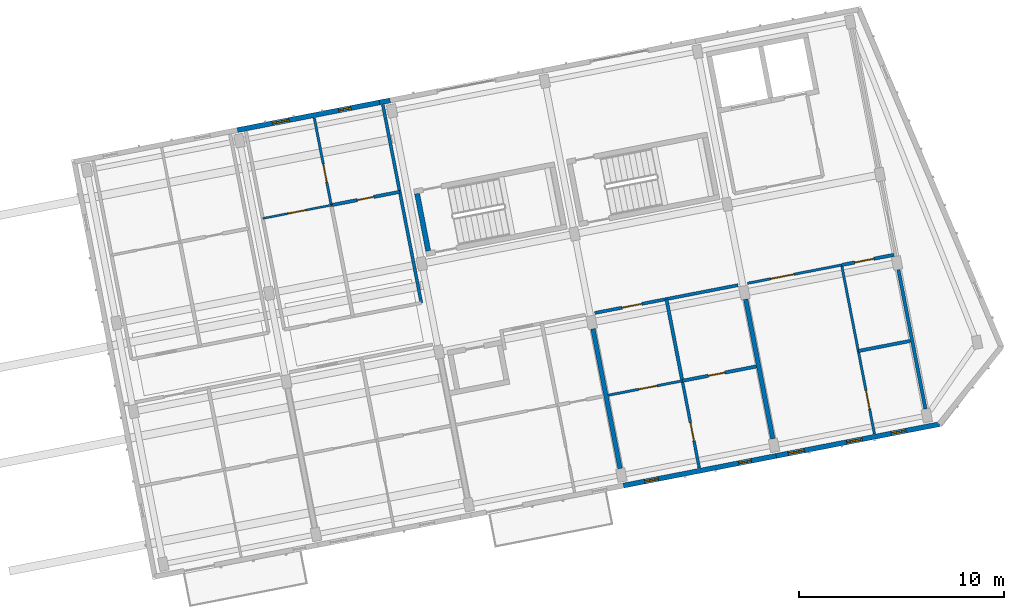
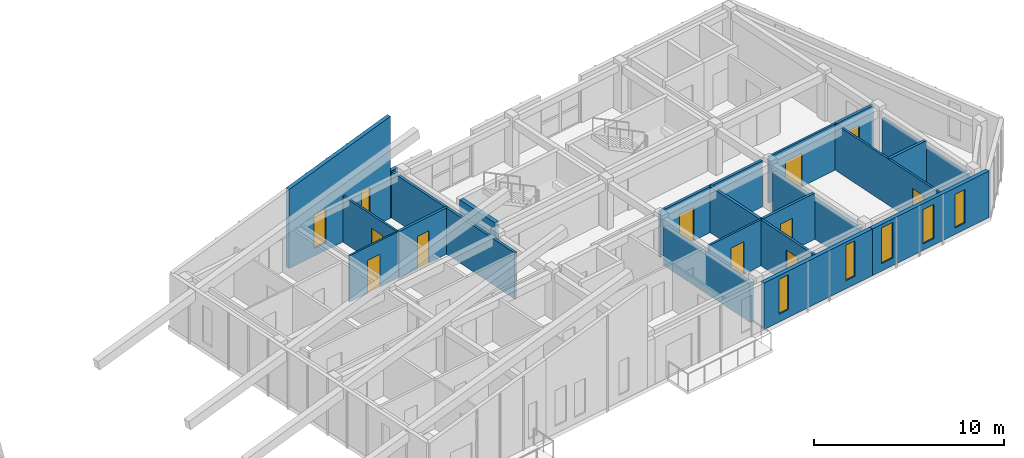
# One storey, part 33 of 64: 21 walls, 10 doors, 7 windows, 17 openings.
"""IFC4 building model written with IfcOpenShell, lengths in metres."""

from ifc_helpers import new_model, si_unit, direction, frame, frame_2d, origin, place, context, subcontext, project, spatial, polyline, rectangle, outline, extrude, material, layer, layer_set, type_object, element, fill, save


model = new_model("IFC4")

# Units and contexts
model_context = context("Model", 3, precision=1e-05, world=origin(), true_north=direction((0.0, 1.0)))
body_context = subcontext(model_context, "Body", "Model", "MODEL_VIEW")
ifc_project = project(units=[si_unit("LENGTHUNIT", "METRE"), si_unit("AREAUNIT", "SQUARE_METRE"), si_unit("VOLUMEUNIT", "CUBIC_METRE"), si_unit("PLANEANGLEUNIT", "RADIAN"), si_unit("MASSUNIT", "GRAM", prefix="KILO")], contexts=[model_context])

# Site, building, storey
site_placement = place(None, origin())
site = spatial("IfcSite", under=ifc_project, at=site_placement, CompositionType="ELEMENT")
building_placement = place(site_placement, origin())
building = spatial("IfcBuilding", under=site, at=building_placement, Name="Kestramere Prow Commons", CompositionType="ELEMENT")
storey_placement = place(building_placement, frame((0.0, 0.0, 24.64990234375)))
storey = spatial("IfcBuildingStorey", under=building, at=storey_placement, Name="L07", CompositionType="ELEMENT", Elevation=24.64990234375)

# Wall, openings, windows
ifc_material_1 = material(Name="Fluoropolymer Standing-Seam Zinc-Aluminium Cladding", Category="aluminium")
ifc_layer_1 = layer(ifc_material_1, 0.239990234375)
ifc_layer_set_1 = layer_set([ifc_layer_1], Name="Fluoropolymer Standing-Seam Zinc-Aluminium Cladding")
wall_type_1 = type_object("IfcWallType", Name="EW-SEAM-240", PredefinedType="SOLIDWALL", material=ifc_layer_set_1)
wall_1_placement = place(storey_placement, frame((155.802001953125, 40.7353515625, 0.0), z_axis=(0.0, 0.0, 1.0), x_axis=(-0.981626422232, -0.190812911449, 0.0)))
wall_1 = element("IfcWall", 1, at=wall_1_placement, inside=storey, type_object=wall_type_1, Name="Block D L07 South Standing-Seam Wall 5", PredefinedType="SOLIDWALL", context=body_context, shape_type="SweptSolid", body=[
    extrude(rectangle(XDim=7.60009765625, YDim=0.239990234375, at=frame_2d((3.800048828125, 0.0))), origin(), (0.0, 0.0, 1.0), 3.0),
])
opening_1_placement = place(wall_1_placement, frame((1.239501953125, 0.0, 0.52001953125)))
opening_1 = element("IfcOpeningElement", 2, at=opening_1_placement, cuts=wall_1, Name="Opening WN-03", PredefinedType="OPENING", context=body_context, shape_type="SweptSolid", body=[
    extrude(rectangle(XDim=0.6201171875, YDim=2.280029296875, at=frame_2d((0.31005859375, 1.14013671875))), frame((0.0, 0.135009765625, 0.0), z_axis=(0.0, -1.0, 0.0), x_axis=(1.0, 0.0, 0.0)), (0.0, 0.0, 1.0), 0.27001953125),
])
opening_2_placement = place(wall_1_placement, frame((5.86376953125, 0.0, 0.52001953125)))
opening_2 = element("IfcOpeningElement", 3, at=opening_2_placement, cuts=wall_1, Name="Opening WN-06", PredefinedType="OPENING", context=body_context, shape_type="SweptSolid", body=[
    extrude(rectangle(XDim=0.679931640625, YDim=2.239990234375, at=frame_2d((0.33984375, 1.1201171875))), frame((0.0, 0.135009765625, 0.0), z_axis=(0.0, -1.0, 0.0), x_axis=(1.0, 0.0, 0.0)), (0.0, 0.0, 1.0), 0.27001953125),
])
ifc_material_2 = material(Name="Low-E Laminated Double Glazing", Category="glass")
window_type_1 = type_object("IfcWindowType", Name="WN-NAR-620A", PartitioningType="SINGLE_PANEL", PredefinedType="WINDOW", material=ifc_material_2)
window_1_placement = place(opening_1_placement, origin())
window_1 = element("IfcWindow", 4, at=window_1_placement, inside=storey, type_object=window_type_1, Name="WN-D-L07-S-4-00", OverallHeight=2.280029296875, OverallWidth=0.6201171875, PartitioningType="SINGLE_PANEL", PredefinedType="WINDOW", context=body_context, shape_type="SweptSolid", body=[
    extrude(rectangle(XDim=0.6201171875, YDim=2.280029296875, at=frame_2d((0.31005859375, 1.14013671875))), frame((0.0, 0.030029296875, 0.0), z_axis=(0.0, -1.0, 0.0), x_axis=(1.0, 0.0, 0.0)), (0.0, 0.0, 1.0), 0.06005859375),
])
fill(opening_1, window_1)
window_type_2 = type_object("IfcWindowType", Name="WN-NAR-680A", PartitioningType="SINGLE_PANEL", PredefinedType="WINDOW", material=ifc_material_2)
window_2_placement = place(opening_2_placement, origin())
window_2 = element("IfcWindow", 5, at=window_2_placement, inside=storey, type_object=window_type_2, Name="WN-D-L07-S-4-10", OverallHeight=2.239990234375, OverallWidth=0.679931640625, PartitioningType="SINGLE_PANEL", PredefinedType="WINDOW", context=body_context, shape_type="SweptSolid", body=[
    extrude(rectangle(XDim=0.679931640625, YDim=2.239990234375, at=frame_2d((0.33984375, 1.1201171875))), frame((0.0, 0.030029296875, 0.0), z_axis=(0.0, -1.0, 0.0), x_axis=(1.0, 0.0, 0.0)), (0.0, 0.0, 1.0), 0.06005859375),
])
fill(opening_2, window_2)

wall_2_placement = place(storey_placement, frame((163.77783203125, 42.28564453125, 0.0), z_axis=(0.0, 0.0, 1.0), x_axis=(-0.981628367112, -0.190802905848, 0.0)))
wall_2 = element("IfcWall", 6, at=wall_2_placement, inside=storey, type_object=wall_type_1, Name="Block D L07 South Standing-Seam Wall 6", PredefinedType="SOLIDWALL", context=body_context, shape_type="SweptSolid", body=[
    extrude(rectangle(XDim=8.125, YDim=0.239990234375, at=frame_2d((4.0625, 0.0))), origin(), (0.0, 0.0, 1.0), 3.0),
])
opening_3_placement = place(wall_2_placement, frame((1.67333984375, 0.0, 0.419921875)))
opening_3 = element("IfcOpeningElement", 7, at=opening_3_placement, cuts=wall_2, Name="Opening WN-08", PredefinedType="OPENING", context=body_context, shape_type="SweptSolid", body=[
    extrude(rectangle(XDim=0.719970703125, YDim=2.159912109375, at=frame_2d((0.35986328125, 1.080078125))), frame((0.0, 0.135009765625, 0.0), z_axis=(0.0, -1.0, 0.0), x_axis=(1.0, 0.0, 0.0)), (0.0, 0.0, 1.0), 0.27001953125),
])
opening_4_placement = place(wall_2_placement, frame((3.8349609375, 0.0, 0.419921875)))
opening_4 = element("IfcOpeningElement", 8, at=opening_4_placement, cuts=wall_2, Name="Opening WN-11", PredefinedType="OPENING", context=body_context, shape_type="SweptSolid", body=[
    extrude(rectangle(XDim=0.780029296875, YDim=2.199951171875, at=frame_2d((0.39013671875, 1.10009765625))), frame((0.0, 0.135009765625, 0.0), z_axis=(0.0, -1.0, 0.0), x_axis=(1.0, 0.0, 0.0)), (0.0, 0.0, 1.0), 0.27001953125),
])
opening_5_placement = place(wall_2_placement, frame((6.715087890625, 0.0, 0.47998046875)))
opening_5 = element("IfcOpeningElement", 9, at=opening_5_placement, cuts=wall_2, Name="Opening WN-12", PredefinedType="OPENING", context=body_context, shape_type="SweptSolid", body=[
    extrude(rectangle(XDim=0.800048828125, YDim=2.300048828125, at=frame_2d((0.39990234375, 1.14990234375))), frame((0.0, 0.135009765625, 0.0), z_axis=(0.0, -1.0, 0.0), x_axis=(1.0, 0.0, 0.0)), (0.0, 0.0, 1.0), 0.27001953125),
])
window_type_3 = type_object("IfcWindowType", Name="WN-NAR-720A", PartitioningType="SINGLE_PANEL", PredefinedType="WINDOW", material=ifc_material_2)
window_3_placement = place(opening_3_placement, origin())
window_3 = element("IfcWindow", 10, at=window_3_placement, inside=storey, type_object=window_type_3, Name="WN-D-L07-S-5-00", OverallHeight=2.159912109375, OverallWidth=0.719970703125, PartitioningType="SINGLE_PANEL", PredefinedType="WINDOW", context=body_context, shape_type="SweptSolid", body=[
    extrude(rectangle(XDim=0.719970703125, YDim=2.159912109375, at=frame_2d((0.35986328125, 1.080078125))), frame((0.0, 0.030029296875, 0.0), z_axis=(0.0, -1.0, 0.0), x_axis=(1.0, 0.0, 0.0)), (0.0, 0.0, 1.0), 0.06005859375),
])
fill(opening_3, window_3)
window_type_4 = type_object("IfcWindowType", Name="WN-NAR-780A", PartitioningType="SINGLE_PANEL", PredefinedType="WINDOW", material=ifc_material_2)
window_4_placement = place(opening_4_placement, origin())
window_4 = element("IfcWindow", 11, at=window_4_placement, inside=storey, type_object=window_type_4, Name="WN-D-L07-S-5-10", OverallHeight=2.199951171875, OverallWidth=0.780029296875, PartitioningType="SINGLE_PANEL", PredefinedType="WINDOW", context=body_context, shape_type="SweptSolid", body=[
    extrude(rectangle(XDim=0.780029296875, YDim=2.199951171875, at=frame_2d((0.39013671875, 1.10009765625))), frame((0.0, 0.030029296875, 0.0), z_axis=(0.0, -1.0, 0.0), x_axis=(1.0, 0.0, 0.0)), (0.0, 0.0, 1.0), 0.06005859375),
])
fill(opening_4, window_4)
window_type_5 = type_object("IfcWindowType", Name="WN-NAR-800A", PartitioningType="SINGLE_PANEL", PredefinedType="WINDOW", material=ifc_material_2)
window_5_placement = place(opening_5_placement, origin())
window_5 = element("IfcWindow", 12, at=window_5_placement, inside=storey, type_object=window_type_5, Name="WN-D-L07-S-5-11", OverallHeight=2.300048828125, OverallWidth=0.800048828125, PartitioningType="SINGLE_PANEL", PredefinedType="WINDOW", context=body_context, shape_type="SweptSolid", body=[
    extrude(rectangle(XDim=0.800048828125, YDim=2.300048828125, at=frame_2d((0.39990234375, 1.14990234375))), frame((0.0, 0.030029296875, 0.0), z_axis=(0.0, -1.0, 0.0), x_axis=(1.0, 0.0, 0.0)), (0.0, 0.0, 1.0), 0.06005859375),
])
fill(opening_5, window_5)

# Wall
wall_3_placement = place(storey_placement, frame((136.42578125, 58.005615234375, 0.0), z_axis=(0.0, 0.0, 1.0), x_axis=(0.981656509867, 0.190658062077, 0.0)))
element("IfcWall", 13, at=wall_3_placement, inside=storey, type_object=wall_type_1, Name="Block D L07 North Step-Back Spandrel Wall 3", PredefinedType="SOLIDWALL", context=body_context, shape_type="SweptSolid", body=[
    extrude(rectangle(XDim=0.52490234375, YDim=0.239990234375, at=frame_2d((0.262451171875, 0.0))), origin(), (0.0, 0.0, 1.0), 3.0),
])

# Wall, openings, windows
wall_4_placement = place(storey_placement, frame((129.480712890625, 56.655517578125, 0.0), z_axis=(0.0, 0.0, 1.0), x_axis=(0.981624188584, 0.190824401971, 0.0)))
wall_4 = element("IfcWall", 14, at=wall_4_placement, inside=storey, type_object=wall_type_1, Name="Block D L07 North Standing-Seam Wall 3", PredefinedType="SOLIDWALL", context=body_context, shape_type="SweptSolid", body=[
    extrude(outline(polyline([(0.0, 0.0), (7.0751953125, 0.0), (7.074951171875, 6.55517578125), (0.0, 5.0908203125), (0.0, 0.0)])), frame((0.0, 0.1201171875, 0.0), z_axis=(0.0, -1.0, 0.0), x_axis=(1.0, 0.0, 0.0)), (0.0, 0.0, 1.0), 0.239990234375),
])
opening_6_placement = place(wall_4_placement, frame((1.7451171875, 0.0, 0.5)))
opening_6 = element("IfcOpeningElement", 15, at=opening_6_placement, cuts=wall_4, Name="Opening WN-13", PredefinedType="OPENING", context=body_context, shape_type="SweptSolid", body=[
    extrude(rectangle(XDim=0.820068359375, YDim=2.179931640625, at=frame_2d((0.41015625, 1.08984375))), frame((0.0, 0.135009765625, 0.0), z_axis=(0.0, -1.0, 0.0), x_axis=(1.0, 0.0, 0.0)), (0.0, 0.0, 1.0), 0.27001953125),
])
opening_7_placement = place(wall_4_placement, frame((5.049560546875, 0.0, 0.43994140625)))
opening_7 = element("IfcOpeningElement", 16, at=opening_7_placement, cuts=wall_4, Name="Opening WN-02", PredefinedType="OPENING", context=body_context, shape_type="SweptSolid", body=[
    extrude(rectangle(XDim=0.60009765625, YDim=2.219970703125, at=frame_2d((0.300048828125, 1.10986328125))), frame((0.0, 0.135009765625, 0.0), z_axis=(0.0, -1.0, 0.0), x_axis=(1.0, 0.0, 0.0)), (0.0, 0.0, 1.0), 0.27001953125),
])
window_type_6 = type_object("IfcWindowType", Name="WN-NAR-600A", PartitioningType="SINGLE_PANEL", PredefinedType="WINDOW", material=ifc_material_2)
window_6_placement = place(opening_7_placement, origin())
window_6 = element("IfcWindow", 17, at=window_6_placement, inside=storey, type_object=window_type_6, Name="WN-D-L07-N-2-1", OverallHeight=2.219970703125, OverallWidth=0.60009765625, PartitioningType="SINGLE_PANEL", PredefinedType="WINDOW", context=body_context, shape_type="SweptSolid", body=[
    extrude(rectangle(XDim=0.60009765625, YDim=2.219970703125, at=frame_2d((0.300048828125, 1.10986328125))), frame((0.0, 0.030029296875, 0.0), z_axis=(0.0, -1.0, 0.0), x_axis=(1.0, 0.0, 0.0)), (0.0, 0.0, 1.0), 0.06005859375),
])
fill(opening_7, window_6)
window_type_7 = type_object("IfcWindowType", Name="WN-NAR-820A", PartitioningType="DOUBLE_PANEL_VERTICAL", PredefinedType="WINDOW", material=ifc_material_2)
window_7_placement = place(opening_6_placement, origin())
window_7 = element("IfcWindow", 18, at=window_7_placement, inside=storey, type_object=window_type_7, Name="WN-D-L07-N-2-0", OverallHeight=2.179931640625, OverallWidth=0.820068359375, PartitioningType="SINGLE_PANEL", PredefinedType="WINDOW", context=body_context, shape_type="SweptSolid", body=[
    extrude(rectangle(XDim=0.820068359375, YDim=2.179931640625, at=frame_2d((0.41015625, 1.08984375))), frame((0.0, 0.030029296875, 0.0), z_axis=(0.0, -1.0, 0.0), x_axis=(1.0, 0.0, 0.0)), (0.0, 0.0, 1.0), 0.06005859375),
])
fill(opening_6, window_7)

# Wall
ifc_material_3 = material(Name="Concrete C40/50", Category="concrete")
ifc_layer_2 = layer(ifc_material_3, 0.25)
ifc_layer_set_2 = layer_set([ifc_layer_2], Name="Concrete C40/50")
wall_type_2 = type_object("IfcWallType", Name="W-CORE-250", PredefinedType="SHEAR", material=ifc_layer_set_2)
wall_5_placement = place(storey_placement, frame((138.8037109375, 50.7509765625, 0.0), z_axis=(0.0, 0.0, 1.0), x_axis=(-0.190858194834, 0.981617618762, 0.0)))
element("IfcWall", 19, at=wall_5_placement, inside=storey, type_object=wall_type_2, Name="ST-D1 L07 Near Shaft Wall", PredefinedType="SHEAR", context=body_context, shape_type="SweptSolid", body=[
    extrude(rectangle(XDim=2.85009765625, YDim=0.25, at=frame_2d((1.425048828125, 0.0))), origin(), (0.0, 0.0, 1.0), 3.25),
])

# Wall, opening, door
ifc_material_4 = material(Name="Fire-Rated Calcium Silicate Wall")
ifc_layer_3 = layer(ifc_material_4, 0.155029296875)
ifc_layer_set_3 = layer_set([ifc_layer_3], Name="Fire-Rated Calcium Silicate Wall")
wall_type_3 = type_object("IfcWallType", Name="W-FIRE-150", PredefinedType="PARTITIONING", material=ifc_layer_set_3)
wall_6_placement = place(storey_placement, frame((146.94189453125, 47.718017578125, 0.0), z_axis=(0.0, 0.0, 1.0), x_axis=(0.981623942594, 0.190825667367, 0.0)))
wall_6 = element("IfcWall", 20, at=wall_6_placement, inside=storey, type_object=wall_type_3, Name="Interior Partition PW-D-L07-CS-4", PredefinedType="PARTITIONING", context=body_context, shape_type="SweptSolid", body=[
    extrude(rectangle(XDim=7.130126953125, YDim=0.155029296875, at=frame_2d((3.56494140625, 0.0))), origin(), (0.0, 0.0, 1.0), 2.97021484375),
])
opening_8_placement = place(wall_6_placement, frame((1.35498046875, 0.0, 0.0)))
opening_8 = element("IfcOpeningElement", 21, at=opening_8_placement, cuts=wall_6, Name="Opening ID-04", PredefinedType="OPENING", context=body_context, shape_type="SweptSolid", body=[
    extrude(rectangle(XDim=0.97998046875, YDim=2.14990234375, at=frame_2d((0.489990234375, 1.074951171875))), frame((0.0, 0.092529296875, 0.0), z_axis=(0.0, -1.0, 0.0), x_axis=(1.0, 0.0, 0.0)), (0.0, 0.0, 1.0), 0.18505859375),
])
ifc_material_5 = material(Name="Hardwood Fire-Rated Flat Entrance Door", Category="wood")
door_type_1 = type_object("IfcDoorType", Name="FD-ENT-01", OperationType="NOTDEFINED", PredefinedType="DOOR", material=ifc_material_5)
door_1_placement = place(opening_8_placement, origin())
door_1 = element("IfcDoor", 22, at=door_1_placement, inside=storey, type_object=door_type_1, Name="Interior Door DR-D-L07-ENT-S4", OperationType="SINGLE_SWING_RIGHT", OverallHeight=2.14990234375, OverallWidth=0.97998046875, PredefinedType="DOOR", context=body_context, shape_type="SweptSolid", body=[
    extrude(rectangle(XDim=0.97998046875, YDim=2.14990234375, at=frame_2d((0.489990234375, 1.074951171875))), frame((0.0, 0.02490234375, 0.0), z_axis=(0.0, -1.0, 0.0), x_axis=(1.0, 0.0, 0.0)), (0.0, 0.0, 1.0), 0.050048828125),
])
fill(opening_8, door_1)

ifc_material_6 = material(Name="Gypsum Acoustic Drywall")
ifc_layer_4 = layer(ifc_material_6, 0.10009765625)
ifc_layer_set_4 = layer_set([ifc_layer_4], Name="Gypsum Acoustic Drywall")
wall_type_4 = type_object("IfcWallType", Name="W-PART-100", PredefinedType="PARTITIONING", material=ifc_layer_set_4)
wall_7_placement = place(storey_placement, frame((130.71728515625, 52.337158203125, 0.0), z_axis=(0.0, 0.0, 1.0), x_axis=(0.981629173664, 0.190798756314, 0.0)))
wall_7 = element("IfcWall", 23, at=wall_7_placement, inside=storey, type_object=wall_type_4, Name="Interior Partition PW-D-L07-MIDN1-2", PredefinedType="PARTITIONING", context=body_context, shape_type="SweptSolid", body=[
    extrude(rectangle(XDim=3.41015625, YDim=0.10009765625, at=frame_2d((1.705078125, 0.0))), origin(), (0.0, 0.0, 1.0), 2.97021484375),
])
opening_9_placement = place(wall_7_placement, frame((1.2548828125, 0.0, 0.0)))
opening_9 = element("IfcOpeningElement", 24, at=opening_9_placement, cuts=wall_7, Name="Opening ID-10", PredefinedType="OPENING", context=body_context, shape_type="SweptSolid", body=[
    extrude(rectangle(XDim=0.8798828125, YDim=2.10009765625, at=frame_2d((0.43994140625, 1.050048828125))), frame((0.0, 0.06494140625, 0.0), z_axis=(0.0, -1.0, 0.0), x_axis=(1.0, 0.0, 0.0)), (0.0, 0.0, 1.0), 0.130126953125),
])
ifc_material_7 = material(Name="Engineered Timber Bedroom Door", Category="wood")
door_type_2 = type_object("IfcDoorType", Name="D-RM-03", OperationType="NOTDEFINED", PredefinedType="DOOR", material=ifc_material_7)
door_2_placement = place(opening_9_placement, origin())
door_2 = element("IfcDoor", 25, at=door_2_placement, inside=storey, type_object=door_type_2, Name="Interior Door DR-D-L07-KL-N2", OperationType="SINGLE_SWING_LEFT", OverallHeight=2.10009765625, OverallWidth=0.8798828125, PredefinedType="DOOR", context=body_context, shape_type="SweptSolid", body=[
    extrude(rectangle(XDim=0.8798828125, YDim=2.10009765625, at=frame_2d((0.43994140625, 1.050048828125))), frame((0.0, 0.02490234375, 0.0), z_axis=(0.0, -1.0, 0.0), x_axis=(1.0, 0.0, 0.0)), (0.0, 0.0, 1.0), 0.050048828125),
])
fill(opening_9, door_2)

ifc_material_8 = material(Name="Lightweight Blockwork and Plaster", Category="masonry")
ifc_layer_5 = layer(ifc_material_8, 0.1201171875)
ifc_layer_set_5 = layer_set([ifc_layer_5], Name="Lightweight Blockwork and Plaster")
wall_type_5 = type_object("IfcWallType", Name="W-PART-120", PredefinedType="PARTITIONING", material=ifc_layer_set_5)
wall_8_placement = place(storey_placement, frame((147.6005859375, 43.699951171875, 0.0), z_axis=(0.0, 0.0, 1.0), x_axis=(0.981628834294, 0.190800502313, 0.0)))
wall_8 = element("IfcWall", 26, at=wall_8_placement, inside=storey, type_object=wall_type_5, Name="Interior Partition PW-D-L07-MIDS1-4", PredefinedType="PARTITIONING", context=body_context, shape_type="SweptSolid", body=[
    extrude(rectangle(XDim=3.68505859375, YDim=0.1201171875, at=frame_2d((1.842529296875, 0.0))), origin(), (0.0, 0.0, 1.0), 2.97021484375),
])
opening_10_placement = place(wall_8_placement, frame((1.52490234375, 0.0, 0.0)))
opening_10 = element("IfcOpeningElement", 27, at=opening_10_placement, cuts=wall_8, Name="Opening ID-08", PredefinedType="OPENING", context=body_context, shape_type="SweptSolid", body=[
    extrude(rectangle(XDim=0.89990234375, YDim=2.10009765625, at=frame_2d((0.449951171875, 1.050048828125))), frame((0.0, 0.074951171875, 0.0), z_axis=(0.0, -1.0, 0.0), x_axis=(1.0, 0.0, 0.0)), (0.0, 0.0, 1.0), 0.150146484375),
])
ifc_material_9 = material(Name="Engineered Timber Flush Door", Category="wood")
door_type_3 = type_object("IfcDoorType", Name="D-RM-01", OperationType="NOTDEFINED", PredefinedType="DOOR", material=ifc_material_9)
door_3_placement = place(opening_10_placement, origin())
door_3 = element("IfcDoor", 28, at=door_3_placement, inside=storey, type_object=door_type_3, Name="Interior Door DR-D-L07-KL-S4", OperationType="SINGLE_SWING_RIGHT", OverallHeight=2.10009765625, OverallWidth=0.89990234375, PredefinedType="DOOR", context=body_context, shape_type="SweptSolid", body=[
    extrude(rectangle(XDim=0.89990234375, YDim=2.10009765625, at=frame_2d((0.449951171875, 1.050048828125))), frame((0.0, 0.02490234375, 0.0), z_axis=(0.0, -1.0, 0.0), x_axis=(1.0, 0.0, 0.0)), (0.0, 0.0, 1.0), 0.050048828125),
])
fill(opening_10, door_3)

wall_9_placement = place(storey_placement, frame((154.40234375, 49.168212890625, 0.0), z_axis=(0.0, 0.0, 1.0), x_axis=(0.981622711665, 0.190831999263, 0.0)))
wall_9 = element("IfcWall", 29, at=wall_9_placement, inside=storey, type_object=wall_type_5, Name="Interior Partition PW-D-L07-CS-5A", PredefinedType="PARTITIONING", context=body_context, shape_type="SweptSolid", body=[
    extrude(rectangle(XDim=4.68505859375, YDim=0.1201171875, at=frame_2d((2.342529296875, 0.0))), origin(), (0.0, 0.0, 1.0), 2.97021484375),
])
opening_11_placement = place(wall_9_placement, frame((1.14990234375, 0.0, 0.0)))
opening_11 = element("IfcOpeningElement", 30, at=opening_11_placement, cuts=wall_9, Name="Opening ID-09", PredefinedType="OPENING", context=body_context, shape_type="SweptSolid", body=[
    extrude(rectangle(XDim=1.14990234375, YDim=2.14990234375, at=frame_2d((0.574951171875, 1.074951171875))), frame((0.0, 0.074951171875, 0.0), z_axis=(0.0, -1.0, 0.0), x_axis=(1.0, 0.0, 0.0)), (0.0, 0.0, 1.0), 0.150146484375),
])
ifc_material_10 = material(Name="Engineered Timber Acoustic Door", Category="wood")
door_type_4 = type_object("IfcDoorType", Name="D-RM-02", OperationType="NOTDEFINED", PredefinedType="DOOR", material=ifc_material_10)
door_4_placement = place(opening_11_placement, origin())
door_4 = element("IfcDoor", 31, at=door_4_placement, inside=storey, type_object=door_type_4, Name="Interior Door DR-D-L07-SKY-5", OperationType="SINGLE_SWING_LEFT", OverallHeight=2.14990234375, OverallWidth=1.14990234375, PredefinedType="DOOR", context=body_context, shape_type="SweptSolid", body=[
    extrude(rectangle(XDim=1.14990234375, YDim=2.14990234375, at=frame_2d((0.574951171875, 1.074951171875))), frame((0.0, 0.02490234375, 0.0), z_axis=(0.0, -1.0, 0.0), x_axis=(1.0, 0.0, 0.0)), (0.0, 0.0, 1.0), 0.050048828125),
])
fill(opening_11, door_4)

wall_10_placement = place(storey_placement, frame((160.60595703125, 41.806640625, 0.0), z_axis=(0.0, 0.0, 1.0), x_axis=(-0.190809830256, 0.981627021163, 0.0)))
wall_10 = element("IfcWall", 32, at=wall_10_placement, inside=storey, type_object=wall_type_5, Name="Interior Partition PW-D-L07-SKDV-5", PredefinedType="PARTITIONING", context=body_context, shape_type="SweptSolid", body=[
    extrude(rectangle(XDim=8.41015625, YDim=0.1201171875, at=frame_2d((4.205078125, 0.0))), origin(), (0.0, 0.0, 1.0), 2.97021484375),
])
opening_12_placement = place(wall_10_placement, frame((1.25, 0.0, 0.0)))
opening_12 = element("IfcOpeningElement", 33, at=opening_12_placement, cuts=wall_10, Name="Opening ID-08", PredefinedType="OPENING", context=body_context, shape_type="SweptSolid", body=[
    extrude(rectangle(XDim=0.89990234375, YDim=2.10009765625, at=frame_2d((0.449951171875, 1.050048828125))), frame((0.0, 0.074951171875, 0.0), z_axis=(0.0, -1.0, 0.0), x_axis=(1.0, 0.0, 0.0)), (0.0, 0.0, 1.0), 0.150146484375),
])
door_5_placement = place(opening_12_placement, origin())
door_5 = element("IfcDoor", 34, at=door_5_placement, inside=storey, type_object=door_type_3, Name="Interior Door DR-D-L07-SKAL-5", OperationType="SINGLE_SWING_LEFT", OverallHeight=2.10009765625, OverallWidth=0.89990234375, PredefinedType="DOOR", context=body_context, shape_type="SweptSolid", body=[
    extrude(rectangle(XDim=0.89990234375, YDim=2.10009765625, at=frame_2d((0.449951171875, 1.050048828125))), frame((0.0, 0.02490234375, 0.0), z_axis=(0.0, -1.0, 0.0), x_axis=(1.0, 0.0, 0.0)), (0.0, 0.0, 1.0), 0.050048828125),
])
fill(opening_12, door_5)

wall_11_placement = place(storey_placement, frame((134.064697265625, 52.98779296875, 0.0), z_axis=(0.0, 0.0, 1.0), x_axis=(-0.190812443151, 0.981626513262, 0.0)))
wall_11 = element("IfcWall", 35, at=wall_11_placement, inside=storey, type_object=wall_type_5, Name="Interior Partition PW-D-L07-LB-N2", PredefinedType="PARTITIONING", context=body_context, shape_type="SweptSolid", body=[
    extrude(rectangle(XDim=4.340087890625, YDim=0.1201171875, at=frame_2d((2.169921875, 0.0))), origin(), (0.0, 0.0, 1.0), 2.97021484375),
])
opening_13_placement = place(wall_11_placement, frame((1.14990234375, 0.0, 0.0)))
opening_13 = element("IfcOpeningElement", 36, at=opening_13_placement, cuts=wall_11, Name="Opening ID-08", PredefinedType="OPENING", context=body_context, shape_type="SweptSolid", body=[
    extrude(rectangle(XDim=0.89990234375, YDim=2.10009765625, at=frame_2d((0.449951171875, 1.050048828125))), frame((0.0, 0.074951171875, 0.0), z_axis=(0.0, -1.0, 0.0), x_axis=(1.0, 0.0, 0.0)), (0.0, 0.0, 1.0), 0.150146484375),
])
door_6_placement = place(opening_13_placement, origin())
door_6 = element("IfcDoor", 37, at=door_6_placement, inside=storey, type_object=door_type_3, Name="Interior Door DR-D-L07-BED-N2", OperationType="SINGLE_SWING_LEFT", OverallHeight=2.10009765625, OverallWidth=0.89990234375, PredefinedType="DOOR", context=body_context, shape_type="SweptSolid", body=[
    extrude(rectangle(XDim=0.89990234375, YDim=2.10009765625, at=frame_2d((0.449951171875, 1.050048828125))), frame((0.0, 0.02490234375, 0.0), z_axis=(0.0, -1.0, 0.0), x_axis=(1.0, 0.0, 0.0)), (0.0, 0.0, 1.0), 0.050048828125),
])
fill(opening_13, door_6)

ifc_material_11 = material(Name="Masonry Compartment Wall", Category="masonry")
ifc_layer_6 = layer(ifc_material_11, 0.139892578125)
ifc_layer_set_6 = layer_set([ifc_layer_6], Name="Masonry Compartment Wall")
wall_type_6 = type_object("IfcWallType", Name="W-PART-140", PredefinedType="PARTITIONING", material=ifc_layer_set_6)
wall_12_placement = place(storey_placement, frame((152.046142578125, 40.142822265625, 0.0), z_axis=(0.0, 0.0, 1.0), x_axis=(-0.190812443151, 0.981626513262, 0.0)))
wall_12 = element("IfcWall", 38, at=wall_12_placement, inside=storey, type_object=wall_type_6, Name="Interior Partition PW-D-L07-LB-S4", PredefinedType="PARTITIONING", context=body_context, shape_type="SweptSolid", body=[
    extrude(rectangle(XDim=4.340087890625, YDim=0.139892578125, at=frame_2d((2.169921875, 0.0))), origin(), (0.0, 0.0, 1.0), 2.97021484375),
])
opening_14_placement = place(wall_12_placement, frame((1.35009765625, 0.0, 0.0)))
opening_14 = element("IfcOpeningElement", 39, at=opening_14_placement, cuts=wall_12, Name="Opening ID-08", PredefinedType="OPENING", context=body_context, shape_type="SweptSolid", body=[
    extrude(rectangle(XDim=0.89990234375, YDim=2.10009765625, at=frame_2d((0.449951171875, 1.050048828125))), frame((0.0, 0.0849609375, 0.0), z_axis=(0.0, -1.0, 0.0), x_axis=(1.0, 0.0, 0.0)), (0.0, 0.0, 1.0), 0.169921875),
])
door_7_placement = place(opening_14_placement, origin())
door_7 = element("IfcDoor", 40, at=door_7_placement, inside=storey, type_object=door_type_3, Name="Interior Door DR-D-L07-BED-S4", OperationType="SINGLE_SWING_LEFT", OverallHeight=2.10009765625, OverallWidth=0.89990234375, PredefinedType="DOOR", context=body_context, shape_type="SweptSolid", body=[
    extrude(rectangle(XDim=0.89990234375, YDim=2.10009765625, at=frame_2d((0.449951171875, 1.050048828125))), frame((0.0, 0.02490234375, 0.0), z_axis=(0.0, -1.0, 0.0), x_axis=(1.0, 0.0, 0.0)), (0.0, 0.0, 1.0), 0.050048828125),
])
fill(opening_14, door_7)

# Walls
ifc_layer_7 = layer(ifc_material_11, 0.14990234375)
ifc_layer_set_7 = layer_set([ifc_layer_7], Name="Masonry Compartment Wall")
wall_type_7 = type_object("IfcWallType", Name="W-PART-150", PredefinedType="PARTITIONING", material=ifc_layer_set_7)
wall_13_placement = place(storey_placement, frame((138.46728515625, 48.210205078125, 0.0), z_axis=(0.0, 0.0, 1.0), x_axis=(-0.190814044018, 0.981626202078, 0.0)))
element("IfcWall", 41, at=wall_13_placement, inside=storey, type_object=wall_type_7, Name="Interior Partition PW-D-L07-NWR-2", PredefinedType="PARTITIONING", context=body_context, shape_type="SweptSolid", body=[
    extrude(rectangle(XDim=9.869873046875, YDim=0.14990234375, at=frame_2d((4.93505859375, 0.0))), origin(), (0.0, 0.0, 1.0), 2.97021484375),
])
ifc_material_12 = material(Name="Waterproof Sanitary Masonry Wall", Category="masonry")
ifc_layer_8 = layer(ifc_material_12, 0.1650390625)
ifc_layer_set_8 = layer_set([ifc_layer_8], Name="Waterproof Sanitary Masonry Wall")
wall_type_8 = type_object("IfcWallType", Name="W-PLUMB-150", PredefinedType="PLUMBINGWALL", material=ifc_layer_set_8)
wall_14_placement = place(storey_placement, frame((163.098388671875, 43.02978515625, 0.0), z_axis=(0.0, 0.0, 1.0), x_axis=(-0.190835713385, 0.981621989616, 0.0)))
element("IfcWall", 42, at=wall_14_placement, inside=storey, type_object=wall_type_8, Name="Interior Partition PW-D-L07-PRWE-S", PredefinedType="PLUMBINGWALL", context=body_context, shape_type="SweptSolid", body=[
    extrude(rectangle(XDim=6.93017578125, YDim=0.1650390625, at=frame_2d((3.465087890625, 0.0))), origin(), (0.0, 0.0, 1.0), 2.5),
])

# Wall, opening, door
wall_15_placement = place(storey_placement, frame((151.218017578125, 44.403076171875, 0.0), z_axis=(0.0, 0.0, 1.0), x_axis=(0.981626422232, 0.190812911449, 0.0)))
wall_15 = element("IfcWall", 43, at=wall_15_placement, inside=storey, type_object=wall_type_8, Name="Interior Partition PW-D-L07-MIDS2-4", PredefinedType="PLUMBINGWALL", context=body_context, shape_type="SweptSolid", body=[
    extrude(rectangle(XDim=3.684814453125, YDim=0.1650390625, at=frame_2d((1.84228515625, 0.0))), origin(), (0.0, 0.0, 1.0), 2.97021484375),
])
opening_15_placement = place(wall_15_placement, frame((1.300048828125, 0.0, 0.0)))
opening_15 = element("IfcOpeningElement", 44, at=opening_15_placement, cuts=wall_15, Name="Opening ID-11", PredefinedType="OPENING", context=body_context, shape_type="SweptSolid", body=[
    extrude(rectangle(XDim=0.820068359375, YDim=2.080078125, at=frame_2d((0.41015625, 1.0400390625))), frame((0.0, 0.097412109375, 0.0), z_axis=(0.0, -1.0, 0.0), x_axis=(1.0, 0.0, 0.0)), (0.0, 0.0, 1.0), 0.195068359375),
])
ifc_material_13 = material(Name="Moisture-Resistant Timber Bathroom Door", Category="wood")
door_type_5 = type_object("IfcDoorType", Name="D-BT-01", OperationType="NOTDEFINED", PredefinedType="DOOR", material=ifc_material_13)
door_8_placement = place(opening_15_placement, origin())
door_8 = element("IfcDoor", 45, at=door_8_placement, inside=storey, type_object=door_type_5, Name="Interior Door DR-D-L07-BTH-S4", OperationType="SINGLE_SWING_LEFT", OverallHeight=2.080078125, OverallWidth=0.820068359375, PredefinedType="DOOR", context=body_context, shape_type="SweptSolid", body=[
    extrude(rectangle(XDim=0.820068359375, YDim=2.080078125, at=frame_2d((0.41015625, 1.0400390625))), frame((0.0, 0.02490234375, 0.0), z_axis=(0.0, -1.0, 0.0), x_axis=(1.0, 0.0, 0.0)), (0.0, 0.0, 1.0), 0.050048828125),
])
fill(opening_15, door_8)

# Wall
wall_16_placement = place(storey_placement, frame((151.218017578125, 44.403076171875, 0.0), z_axis=(0.0, 0.0, 1.0), x_axis=(-0.190807044121, 0.981627562731, 0.0)))
element("IfcWall", 46, at=wall_16_placement, inside=storey, type_object=wall_type_8, Name="Interior Partition PW-D-L07-KB-S4", PredefinedType="PLUMBINGWALL", context=body_context, shape_type="SweptSolid", body=[
    extrude(rectangle(XDim=4.070068359375, YDim=0.1650390625, at=frame_2d((2.03515625, 0.0))), origin(), (0.0, 0.0, 1.0), 2.97021484375),
])

# Wall, opening, door
wall_17_placement = place(storey_placement, frame((159.001220703125, 50.062255859375, 0.0), z_axis=(0.0, 0.0, 1.0), x_axis=(0.981624151626, 0.190824592083, 0.0)))
wall_17 = element("IfcWall", 47, at=wall_17_placement, inside=storey, type_object=wall_type_8, Name="Interior Partition PW-D-L07-CS-5B", PredefinedType="PLUMBINGWALL", context=body_context, shape_type="SweptSolid", body=[
    extrude(rectangle(XDim=2.60986328125, YDim=0.1650390625, at=frame_2d((1.304931640625, 0.0))), origin(), (0.0, 0.0, 1.0), 2.97021484375),
])
opening_16_placement = place(wall_17_placement, frame((0.64990234375, 0.0, 0.0)))
opening_16 = element("IfcOpeningElement", 48, at=opening_16_placement, cuts=wall_17, Name="Opening ID-13", PredefinedType="OPENING", context=body_context, shape_type="SweptSolid", body=[
    extrude(rectangle(XDim=0.9599609375, YDim=2.1201171875, at=frame_2d((0.47998046875, 1.06005859375))), frame((0.0, 0.097412109375, 0.0), z_axis=(0.0, -1.0, 0.0), x_axis=(1.0, 0.0, 0.0)), (0.0, 0.0, 1.0), 0.195068359375),
])
ifc_material_14 = material(Name="Accessible Wide-Leaf Timber Door", Category="wood")
door_type_6 = type_object("IfcDoorType", Name="D-ACC-01", OperationType="NOTDEFINED", PredefinedType="DOOR", material=ifc_material_14)
door_9_placement = place(opening_16_placement, origin())
door_9 = element("IfcDoor", 49, at=door_9_placement, inside=storey, type_object=door_type_6, Name="Interior Door DR-D-L07-SKWC-5", OperationType="SINGLE_SWING_RIGHT", OverallHeight=2.1201171875, OverallWidth=0.9599609375, PredefinedType="DOOR", context=body_context, shape_type="SweptSolid", body=[
    extrude(rectangle(XDim=0.9599609375, YDim=2.1201171875, at=frame_2d((0.47998046875, 1.06005859375))), frame((0.0, 0.02490234375, 0.0), z_axis=(0.0, -1.0, 0.0), x_axis=(1.0, 0.0, 0.0)), (0.0, 0.0, 1.0), 0.050048828125),
])
fill(opening_16, door_9)

# Wall
wall_18_placement = place(storey_placement, frame((159.81787109375, 45.86083984375, 0.0), z_axis=(0.0, 0.0, 1.0), x_axis=(0.981628634101, 0.19080153226, 0.0)))
element("IfcWall", 50, at=wall_18_placement, inside=storey, type_object=wall_type_8, Name="Interior Partition PW-D-L07-SKHZ-5", PredefinedType="PLUMBINGWALL", context=body_context, shape_type="SweptSolid", body=[
    extrude(rectangle(XDim=2.58984375, YDim=0.1650390625, at=frame_2d((1.294921875, 0.0))), origin(), (0.0, 0.0, 1.0), 2.97021484375),
])

# Wall, opening, door
wall_19_placement = place(storey_placement, frame((134.064697265625, 52.98779296875, 0.0), z_axis=(0.0, 0.0, 1.0), x_axis=(0.981629173664, 0.190798756314, 0.0)))
wall_19 = element("IfcWall", 51, at=wall_19_placement, inside=storey, type_object=wall_type_8, Name="Interior Partition PW-D-L07-MIDN2-2", PredefinedType="PLUMBINGWALL", context=body_context, shape_type="SweptSolid", body=[
    extrude(rectangle(XDim=3.41015625, YDim=0.1650390625, at=frame_2d((1.705078125, 0.0))), origin(), (0.0, 0.0, 1.0), 2.97021484375),
])
opening_17_placement = place(wall_19_placement, frame((1.294921875, 0.0, 0.0)))
opening_17 = element("IfcOpeningElement", 52, at=opening_17_placement, cuts=wall_19, Name="Opening ID-11", PredefinedType="OPENING", context=body_context, shape_type="SweptSolid", body=[
    extrude(rectangle(XDim=0.820068359375, YDim=2.080078125, at=frame_2d((0.41015625, 1.0400390625))), frame((0.0, 0.097412109375, 0.0), z_axis=(0.0, -1.0, 0.0), x_axis=(1.0, 0.0, 0.0)), (0.0, 0.0, 1.0), 0.195068359375),
])
door_10_placement = place(opening_17_placement, origin())
door_10 = element("IfcDoor", 53, at=door_10_placement, inside=storey, type_object=door_type_5, Name="Interior Door DR-D-L07-BTH-N2", OperationType="SINGLE_SWING_RIGHT", OverallHeight=2.080078125, OverallWidth=0.820068359375, PredefinedType="DOOR", context=body_context, shape_type="SweptSolid", body=[
    extrude(rectangle(XDim=0.820068359375, YDim=2.080078125, at=frame_2d((0.41015625, 1.0400390625))), frame((0.0, 0.02490234375, 0.0), z_axis=(0.0, -1.0, 0.0), x_axis=(1.0, 0.0, 0.0)), (0.0, 0.0, 1.0), 0.050048828125),
])
fill(opening_17, door_10)

# Walls
ifc_material_15 = material(Name="Precast concrete C40/50", Category="concrete")
ifc_layer_9 = layer(ifc_material_15, 0.219970703125)
ifc_layer_set_9 = layer_set([ifc_layer_9], Name="Precast concrete C40/50")
wall_type_9 = type_object("IfcWallType", Name="W-XWALL-220", PredefinedType="SHEAR", material=ifc_layer_set_9)
for number, where, z_axis, x_axis, name in (
    (54, (148.179443359375, 40.11962890625, 0.0), (0.0, 0.0, 1.0), (-0.190817005532, 0.981625626397, 0.0), "Block D L07 Precast Cross-Wall 4"),
    (55, (155.639892578125, 41.56982421875, 0.0), (0.0, 0.0, 1.0), (-0.190817005532, 0.981625626397, 0.0), "Block D L07 Precast Cross-Wall 5"),
):
    element("IfcWall", number, at=place(storey_placement, frame(where, z_axis=z_axis, x_axis=x_axis)), inside=storey, type_object=wall_type_9, Name=name, PredefinedType="SHEAR", context=body_context, shape_type="SweptSolid", body=[
        extrude(rectangle(XDim=6.949951171875, YDim=0.219970703125, at=frame_2d((3.47509765625, 0.0))), origin(), (0.0, 0.0, 1.0), 2.5),
    ])

save(model, "model.ifc")
